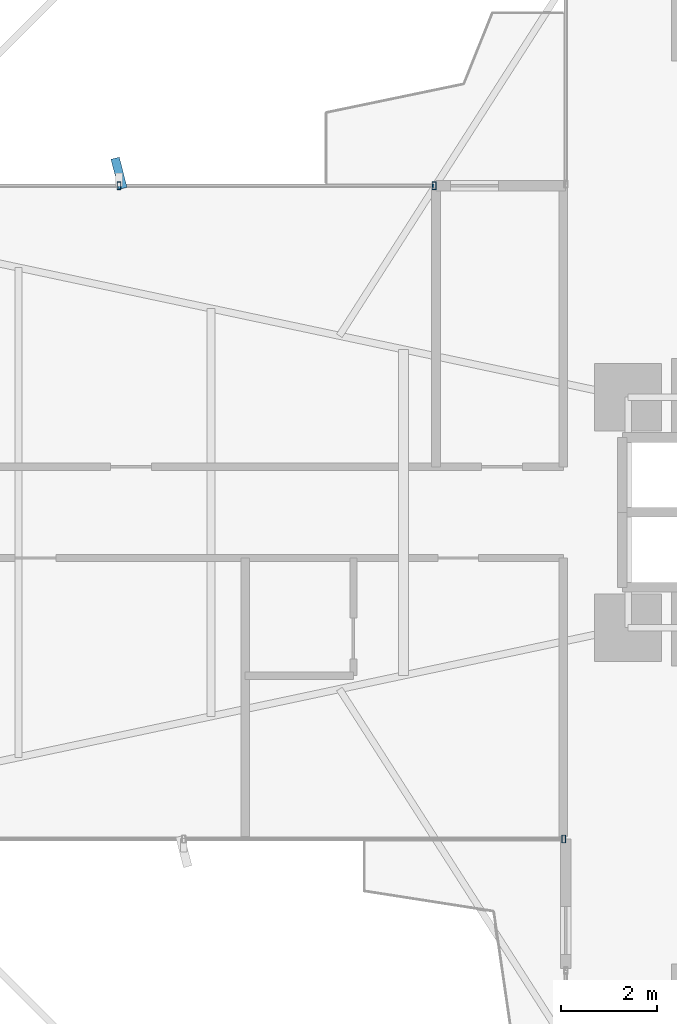
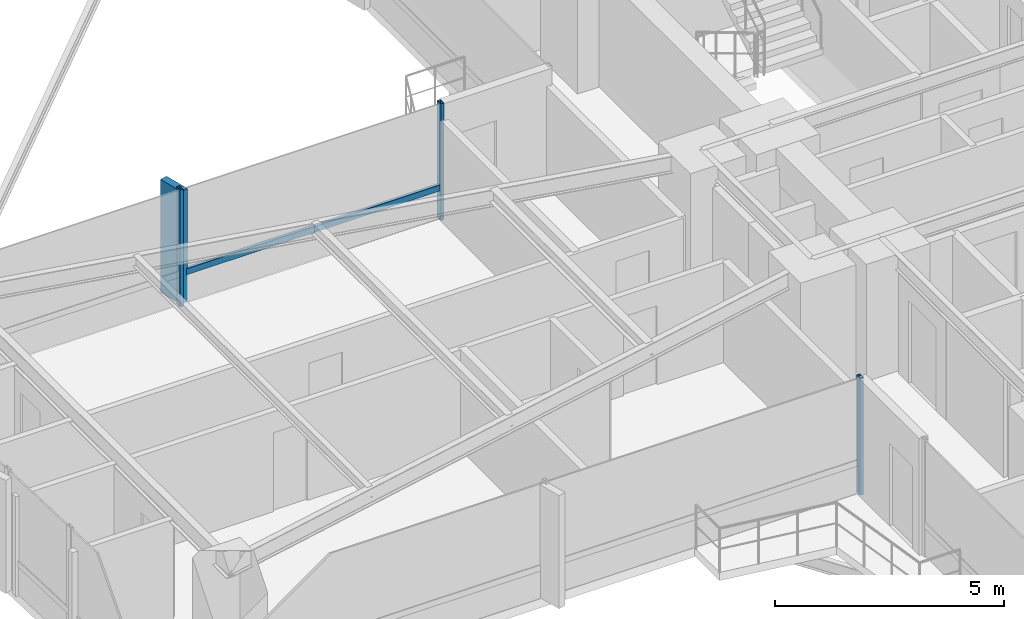
# One storey, part 10 of 25: 5 members, 2 elements without a shape of their own.
"""IFC4 building model written with IfcOpenShell, lengths in metres."""

from ifc_helpers import new_model, si_unit, direction, frame, origin, origin_2d, place, context, subcontext, project, spatial, rectangle, hollow_rectangle, extrude, source, transform, mapped, material, material_profile, profile_set, type_object, element, aggregate, save


model = new_model("IFC4")

# Units and contexts
model_context = context("Model", 3, precision=1e-05, world=origin(), true_north=direction((0.0, 1.0)))
body_context = subcontext(model_context, "Body", "Model", "MODEL_VIEW")
ifc_project = project(units=[si_unit("LENGTHUNIT", "METRE"), si_unit("AREAUNIT", "SQUARE_METRE"), si_unit("VOLUMEUNIT", "CUBIC_METRE"), si_unit("PLANEANGLEUNIT", "RADIAN"), si_unit("MASSUNIT", "GRAM", prefix="KILO")], contexts=[model_context])

# Site, building, storey
site_placement = place(None, origin())
site = spatial("IfcSite", under=ifc_project, at=site_placement, CompositionType="ELEMENT")
building_placement = place(site_placement, origin())
building = spatial("IfcBuilding", under=site, at=building_placement, Name="Sahyath Konkavel Grand Hotel", CompositionType="ELEMENT")
storey_placement = place(building_placement, frame((0.0, 0.0, 54.39990234375)))
storey = spatial("IfcBuildingStorey", under=building, at=storey_placement, Name="L14", CompositionType="ELEMENT", Elevation=54.39990234375)

# Curtain wall, members
ifc_material_1 = material(Name="Anodised Bronze Aluminium & Low-E Glazing", Category="aluminium")
curtain_wall_type = type_object("IfcCurtainWallType", Name="CW-ZONE1", PredefinedType="NOTDEFINED", material=ifc_material_1)
curtain_wall_1_placement = place(storey_placement, origin())
curtain_wall_1 = element("IfcCurtainWall", 1, at=curtain_wall_1_placement, inside=storey, type_object=curtain_wall_type, Name="L14 Unitised Curtain Wall F16", PredefinedType="NOTDEFINED")
ifc_material_2 = material(Name="Warm Buff Sandstone Cladding on Concrete C50/60", Category="masonry")
ifc_material_profile_1 = material_profile(ifc_material_2, rectangle(XDim=0.179931640625, YDim=0.64990234375, at=origin_2d()), Name="FIN 180x650")
ifc_profile_set_1 = profile_set([ifc_material_profile_1], Name="Warm Buff Sandstone Cladding on Concrete C50/60")
member_type_1 = type_object("IfcMemberType", Name="FIN-SANDSTONE-650", PredefinedType="MULLION", material=ifc_profile_set_1)
shared_shape_1 = source(origin(), body_context, "Body", "SweptSolid", [
    extrude(rectangle(XDim=0.179931640625, YDim=0.64990234375, at=origin_2d()), origin(), (0.0, 0.0, 1.0), 3.010009765625),
])
member_1_placement = place(storey_placement, frame((-16.10009765625, 7.06005859375, 0.050048828125), z_axis=(0.0, 0.0, 1.0), x_axis=(0.96862655095, 0.248520833726, 0.0)))
member_1 = element("IfcMember", 2, at=member_1_placement, type_object=member_type_1, Name="L14 Sandstone Vertical Solar Fin FIN F16-1", PredefinedType="MULLION", context=body_context, shape_type="MappedRepresentation", body=[
    mapped(shared_shape_1, transform((0.0, 0.0, 0.0), scale=1.0)),
])
ifc_material_3 = material(Name="Anodised Bronze Aluminium", Category="aluminium")
ifc_material_profile_2 = material_profile(ifc_material_3, hollow_rectangle(XDim=0.080078125, YDim=0.159912109375, WallThickness=0.006103515625, at=origin_2d()), Name="RHS 160x80x6")
ifc_profile_set_2 = profile_set([ifc_material_profile_2], Name="Anodised Bronze Aluminium")
member_type_2 = type_object("IfcMemberType", Name="CW-MUL-160", PredefinedType="MULLION", material=ifc_profile_set_2)
shared_shape_2 = source(origin(), body_context, "Body", "SweptSolid", [
    extrude(hollow_rectangle(XDim=0.080078125, YDim=0.159912109375, WallThickness=0.006103515625, at=origin_2d()), origin(), (0.0, 0.0, 1.0), 3.110107421875),
])
member_2_placement = place(storey_placement, frame((-9.5400390625, 6.800048828125, 0.0), z_axis=(0.0, 0.0, 1.0), x_axis=(1.0, 0.0, 0.0)))
member_2 = element("IfcMember", 3, at=member_2_placement, type_object=member_type_2, Name="L14 Curtain Wall Mullion F16-0", PredefinedType="MULLION", context=body_context, shape_type="MappedRepresentation", body=[
    mapped(shared_shape_2, transform((0.0, 0.0, 0.0), scale=1.0)),
])
member_3_placement = place(storey_placement, frame((-16.10009765625, 6.800048828125, 0.0), z_axis=(0.0, 0.0, 1.0), x_axis=(1.0, 0.0, 0.0)))
member_3 = element("IfcMember", 4, at=member_3_placement, type_object=member_type_2, Name="L14 Curtain Wall Mullion F16-1", PredefinedType="MULLION", context=body_context, shape_type="MappedRepresentation", body=[
    mapped(shared_shape_2, transform((0.0, 0.0, 0.0), scale=1.0)),
])

# Curtain wall, member
curtain_wall_2_placement = place(storey_placement, origin())
curtain_wall_2 = element("IfcCurtainWall", 5, at=curtain_wall_2_placement, inside=storey, type_object=curtain_wall_type, Name="L14 Unitised Curtain Wall F23", PredefinedType="NOTDEFINED")
member_4_placement = place(storey_placement, frame((-6.840087890625, -6.800048828125, 0.0), z_axis=(0.0, 0.0, 1.0), x_axis=(1.0, 0.0, 0.0)))
member_4 = element("IfcMember", 6, at=member_4_placement, type_object=member_type_2, Name="L14 Curtain Wall Mullion F23-2", PredefinedType="MULLION", context=body_context, shape_type="MappedRepresentation", body=[
    mapped(shared_shape_2, transform((0.0, 0.0, 0.0), scale=1.0)),
])
aggregate(curtain_wall_2, [member_4])

# Member
ifc_material_profile_3 = material_profile(ifc_material_3, hollow_rectangle(XDim=0.080078125, YDim=0.159912109375, WallThickness=0.006103515625, at=origin_2d()), Name="RHS 160x80x6")
ifc_profile_set_3 = profile_set([ifc_material_profile_3], Name="Anodised Bronze Aluminium")
member_type_3 = type_object("IfcMemberType", Name="CW-TRN-160", PredefinedType="USERDEFINED", material=ifc_profile_set_3)
shared_shape_3 = source(origin(), body_context, "Body", "SweptSolid", [
    extrude(hollow_rectangle(XDim=0.080078125, YDim=0.159912109375, WallThickness=0.006103515625, at=origin_2d()), origin(), (0.0, 0.0, 1.0), 6.56005859375),
])
member_5_placement = place(storey_placement, frame((-9.5400390625, 6.800048828125, 0.85009765625), z_axis=(-1.0, 0.0, 0.0), x_axis=(0.0, -1.0, 0.0)))
member_5 = element("IfcMember", 7, at=member_5_placement, type_object=member_type_3, Name="L14 Curtain Wall Transom F16-0-spandrel", ObjectType="TRANSOM", PredefinedType="USERDEFINED", context=body_context, shape_type="MappedRepresentation", body=[
    mapped(shared_shape_3, transform((0.0, 0.0, 0.0), scale=1.0)),
])

aggregate(curtain_wall_1, [member_2, member_3, member_1, member_5])

save(model, "model.ifc")
